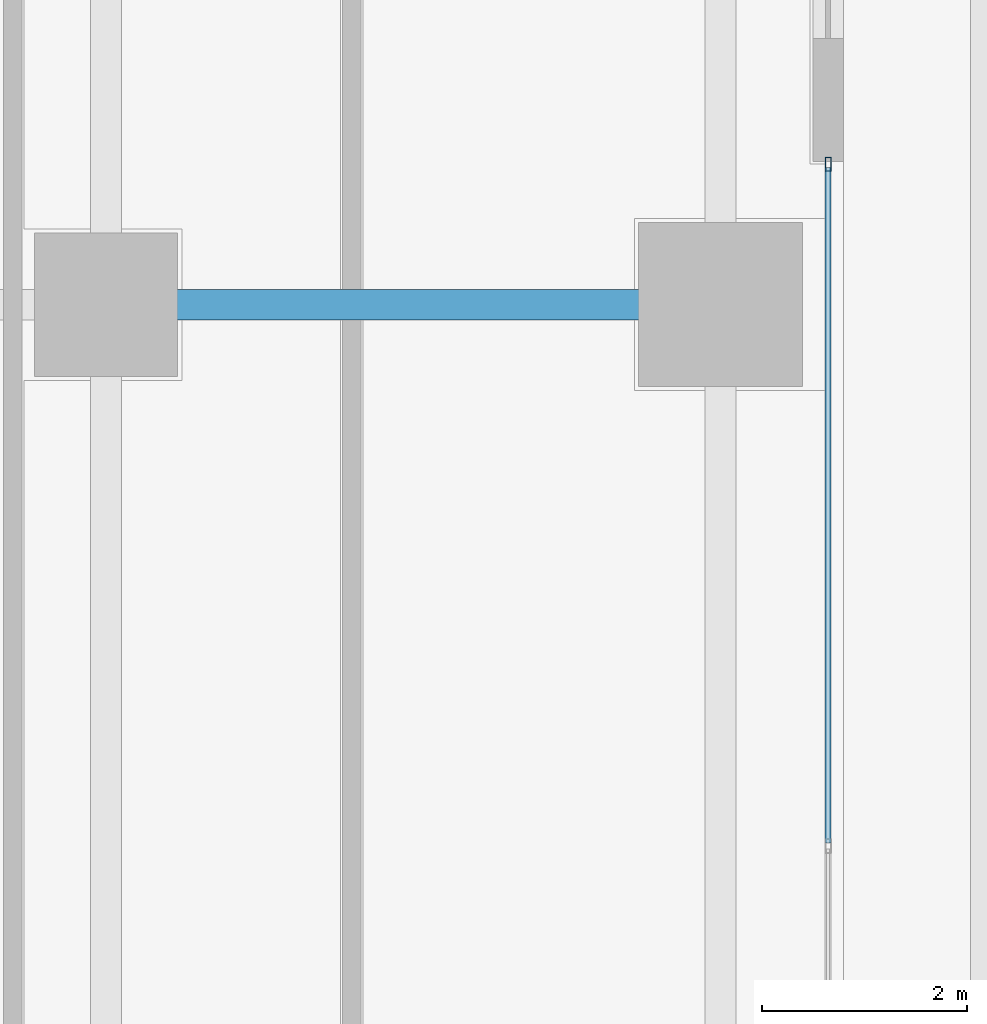
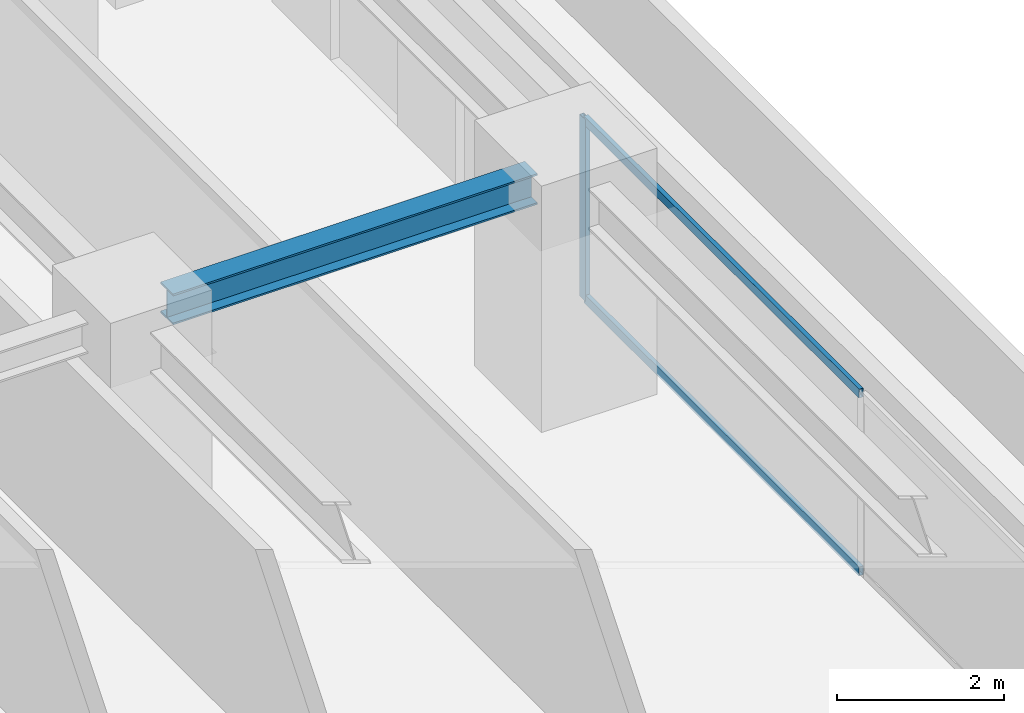
# One storey, part 17 of 32: 3 members, 1 beam, 1 element without a shape of its own.
"""IFC4 building model written with IfcOpenShell, lengths in metres."""

from ifc_helpers import new_model, si_unit, direction, frame, origin, origin_2d, place, context, subcontext, project, spatial, hollow_rectangle, i_section, extrude, source, transform, mapped, material, layer, layer_set, material_profile, profile_set, type_object, element, aggregate, save


model = new_model("IFC4")

# Units and contexts
model_context = context("Model", 3, precision=1e-05, world=origin(), true_north=direction((0.0, 1.0)))
body_context = subcontext(model_context, "Body", "Model", "MODEL_VIEW")
ifc_project = project(units=[si_unit("LENGTHUNIT", "METRE"), si_unit("AREAUNIT", "SQUARE_METRE"), si_unit("VOLUMEUNIT", "CUBIC_METRE"), si_unit("PLANEANGLEUNIT", "RADIAN"), si_unit("MASSUNIT", "GRAM", prefix="KILO")], contexts=[model_context])

# Site, building, storey
site_placement = place(None, origin())
site = spatial("IfcSite", under=ifc_project, at=site_placement, CompositionType="ELEMENT")
building_placement = place(site_placement, origin())
building = spatial("IfcBuilding", under=site, at=building_placement, Name="Sumidabori Civic Tower", CompositionType="ELEMENT")
storey_placement = place(building_placement, frame((0.0, 0.0, 225.199951171875)))
storey = spatial("IfcBuildingStorey", under=building, at=storey_placement, Name="L58", CompositionType="ELEMENT", Elevation=225.199951171875)

# Beam
ifc_material_1 = material(Name="Steel SN490", Category="steel")
ifc_material_profile_1 = material_profile(ifc_material_1, i_section(OverallWidth=0.300048828125, OverallDepth=0.449951171875, WebThickness=0.013916015625, FlangeThickness=0.02587890625, at=origin_2d()), Name="HE 450 B")
ifc_profile_set_1 = profile_set([ifc_material_profile_1], Name="Steel SN490")
beam_type = type_object("IfcBeamType", Name="BM-GIRD-450", PredefinedType="BEAM", material=ifc_profile_set_1)
shared_shape_1 = source(origin(), body_context, "Body", "SweptSolid", [
    extrude(i_section(OverallWidth=0.300048828125, OverallDepth=0.449951171875, WebThickness=0.013916015625, FlangeThickness=0.02587890625, at=origin_2d()), origin(), (0.0, 0.0, 1.0), 5.0400390625),
])
beam_placement = place(storey_placement, frame((17.280029296875, 0.0, 3.054931640625), z_axis=(1.0, 0.0, 0.0), x_axis=(0.0, 1.0, 0.0)))
element("IfcBeam", 1, at=beam_placement, inside=storey, type_object=beam_type, Name="Primary Girder L58 GX-08", PredefinedType="BEAM", context=body_context, shape_type="MappedRepresentation", body=[
    mapped(shared_shape_1, transform((0.0, 0.0, 0.0), x_axis=(1.0, 0.0, 0.0), y_axis=(0.0, 1.0, 0.0), z_axis=(0.0, 0.0, 1.0), scale=1.0)),
])

# Curtain wall, members
ifc_material_2 = material(Name="Anodised Bronze Aluminium AW-6063-T6", Category="aluminium")
ifc_layer = layer(ifc_material_2, 0.179931640625, Name="Anodised Bronze Aluminium AW-6063-T6")
ifc_layer_set = layer_set([ifc_layer], Name="Anodised Bronze Aluminium AW-6063-T6")
curtain_wall_type = type_object("IfcCurtainWallType", Name="CW-SYS-5", PredefinedType="NOTDEFINED", material=ifc_layer_set)
curtain_wall_placement = place(storey_placement, origin())
curtain_wall = element("IfcCurtainWall", 2, at=curtain_wall_placement, inside=storey, type_object=curtain_wall_type, Name="Curtain Wall CW:L58:R10", PredefinedType="NOTDEFINED")
ifc_material_profile_2 = material_profile(ifc_material_2, hollow_rectangle(XDim=0.06005859375, YDim=0.139892578125, WallThickness=0.0048828125, at=origin_2d()), Name="ALU MULLION 140x60")
ifc_profile_set_2 = profile_set([ifc_material_profile_2], Name="Anodised Bronze Aluminium AW-6063-T6")
member_type_1 = type_object("IfcMemberType", Name="CW-MUL-140", PredefinedType="MULLION", material=ifc_profile_set_2)
shared_shape_2 = source(origin(), body_context, "Body", "SweptSolid", [
    extrude(hollow_rectangle(XDim=0.06005859375, YDim=0.139892578125, WallThickness=0.0048828125, at=origin_2d()), origin(), (0.0, 0.0, 1.0), 2.66015625),
])
member_1_placement = place(storey_placement, frame((23.85009765625, 1.3701171875, 0.0), z_axis=(0.0, 0.0, 1.0), x_axis=(-1.0, 0.0, 0.0)))
member_1 = element("IfcMember", 3, at=member_1_placement, type_object=member_type_1, Name="CW-5 mullion 3", PredefinedType="MULLION", context=body_context, shape_type="MappedRepresentation", body=[
    mapped(shared_shape_2, transform((0.0, 0.0, 0.0), x_axis=(1.0, 0.0, 0.0), y_axis=(0.0, 1.0, 0.0), z_axis=(0.0, 0.0, 1.0), scale=1.0)),
])
ifc_material_profile_3 = material_profile(ifc_material_2, hollow_rectangle(XDim=0.06005859375, YDim=0.1298828125, WallThickness=0.0048828125, at=origin_2d()), Name="ALU TRANSOM 130x60")
ifc_profile_set_3 = profile_set([ifc_material_profile_3], Name="Anodised Bronze Aluminium AW-6063-T6")
member_type_2 = type_object("IfcMemberType", Name="CW-TRN-130", PredefinedType="USERDEFINED", material=ifc_profile_set_3)
shared_shape_3 = source(origin(), body_context, "Body", "SweptSolid", [
    extrude(hollow_rectangle(XDim=0.06005859375, YDim=0.1298828125, WallThickness=0.0048828125, at=origin_2d()), origin(), (0.0, 0.0, 1.0), 6.594970703125),
])
member_2_placement = place(storey_placement, frame((23.85009765625, -5.2548828125, 0.030029296875), z_axis=(0.0, 1.0, 0.0), x_axis=(-1.0, 0.0, 0.0)))
member_2 = element("IfcMember", 4, at=member_2_placement, type_object=member_type_2, Name="CW-5 transom 2.1", ObjectType="TRANSOM", PredefinedType="USERDEFINED", context=body_context, shape_type="MappedRepresentation", body=[
    mapped(shared_shape_3, transform((0.0, 0.0, 0.0), x_axis=(1.0, 0.0, 0.0), y_axis=(0.0, 1.0, 0.0), z_axis=(0.0, 0.0, 1.0), scale=1.0)),
])
member_3_placement = place(storey_placement, frame((23.85009765625, -5.2548828125, 2.630126953125), z_axis=(0.0, 1.0, 0.0), x_axis=(-1.0, 0.0, 0.0)))
member_3 = element("IfcMember", 5, at=member_3_placement, type_object=member_type_2, Name="CW-5 transom 2.2", ObjectType="TRANSOM", PredefinedType="USERDEFINED", context=body_context, shape_type="MappedRepresentation", body=[
    mapped(shared_shape_3, transform((0.0, 0.0, 0.0), x_axis=(1.0, 0.0, 0.0), y_axis=(0.0, 1.0, 0.0), z_axis=(0.0, 0.0, 1.0), scale=1.0)),
])
aggregate(curtain_wall, [member_1, member_2, member_3])

save(model, "model.ifc")
